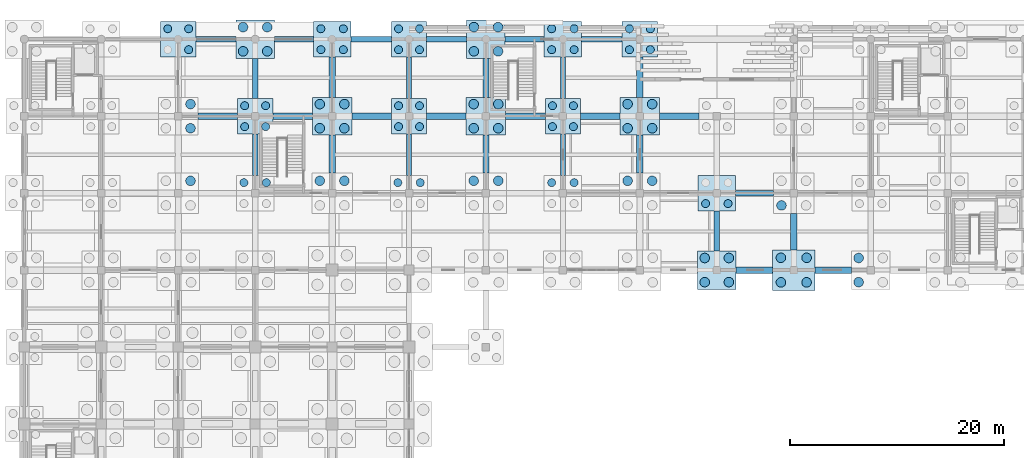
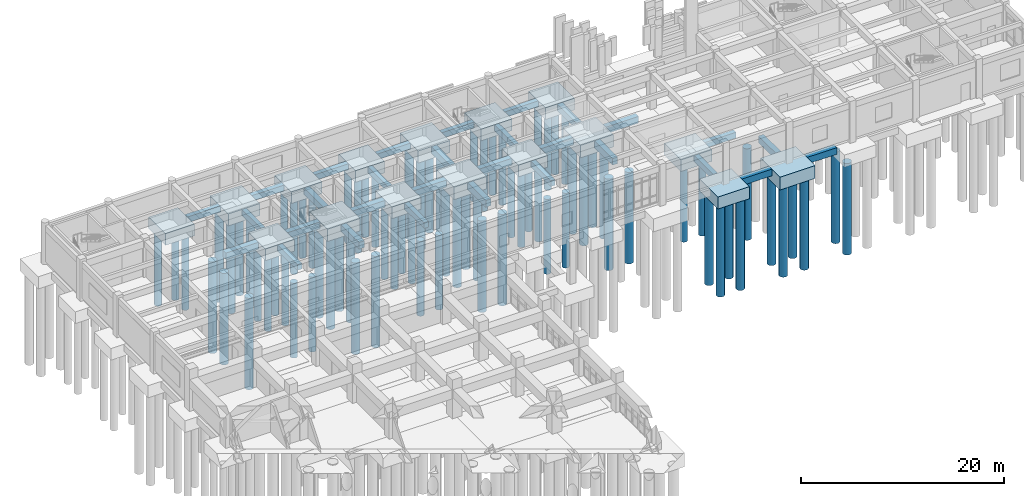
# One storey, part 9 of 79: 79 piles, 46 footings.
"""IFC4 building model written with IfcOpenShell, lengths in metres."""

import ifcopenshell
import ifcopenshell.guid

model = None  # the IFC model being written
_history = None  # IfcOwnerHistory: only IFC2X3 demands one
_inside = {}  # id of a spatial element -> (the spatial element, [elements in it])
_under = {}  # id of a project, library or spatial element -> (it, [spatial elements below it])
_declared = {}  # id of a project -> (the project, [libraries it declares])
_typed = {}  # id of a type object -> (the type object, [elements of that type])
_made_of = {}  # id of a material, layer set ... -> (it, [elements and type objects made of it])


def new_model(schema):
    """Start an empty IFC model of exactly this schema.

    Asked for "IFC4X3", IfcOpenShell would pick the latest addendum, in which some entities
    have other attributes; the version numbers below select the first issue.
    IFC2X3 requires an IfcOwnerHistory on every rooted entity: one is made here for all.
    """
    global model, _history
    if schema == "IFC4X3":
        model = ifcopenshell.file(schema_version=(4, 3, 0, 0))
    else:
        model = ifcopenshell.file(schema=schema)
    _inside.clear()
    _under.clear()
    _declared.clear()
    _typed.clear()
    _made_of.clear()
    _history = None
    if model.schema == "IFC2X3":
        org = make("IfcOrganization", Name="unknown")
        user = make(
            "IfcPersonAndOrganization",
            ThePerson=make("IfcPerson", FamilyName="unknown"),
            TheOrganization=org,
        )
        app = make(
            "IfcApplication",
            ApplicationDeveloper=org,
            Version="unknown",
            ApplicationFullName="unknown",
            ApplicationIdentifier="unknown",
        )
        _history = make(
            "IfcOwnerHistory",
            OwningUser=user,
            OwningApplication=app,
            ChangeAction="ADDED",
            CreationDate=0,
        )
    return model


def make(cls, **values):
    """One entity of the class cls with the attributes given. An attribute that is None is left unset."""
    return model.create_entity(
        cls, **{name: value for name, value in values.items() if value is not None}
    )


def rooted(cls, **values):
    """An entity with a GlobalId (a new one), such as an element, a storey or a relation."""
    return make(cls, GlobalId=ifcopenshell.guid.new(), OwnerHistory=_history, **values)


def si_unit(unit_type, name, prefix=None):
    """IfcSIUnit, for example si_unit("LENGTHUNIT", "METRE", prefix="MILLI")."""
    return make("IfcSIUnit", UnitType=unit_type, Prefix=prefix, Name=name)


def assignment(units):
    """IfcUnitAssignment: the units of a project."""
    return None if units is None else make("IfcUnitAssignment", Units=units)


def point(xyz):
    """IfcCartesianPoint."""
    return None if xyz is None else make("IfcCartesianPoint", Coordinates=xyz)


def direction(xyz):
    """IfcDirection."""
    return None if xyz is None else make("IfcDirection", DirectionRatios=xyz)


def frame(location, z_axis=None, x_axis=None):
    """IfcAxis2Placement3D, a coordinate frame: its origin and axes. An axis left out is left unset."""
    return make(
        "IfcAxis2Placement3D",
        Location=point(location),
        Axis=direction(z_axis),
        RefDirection=direction(x_axis),
    )


def frame_2d(location, x_axis=None):
    """IfcAxis2Placement2D, a coordinate frame in the plane: its origin and x axis."""
    return make(
        "IfcAxis2Placement2D", Location=point(location), RefDirection=direction(x_axis)
    )


def origin():
    """The frame at (0, 0, 0) with its axes left unset."""
    return frame((0.0, 0.0, 0.0))


def origin_2d():
    """The frame at (0, 0) in the plane with its x axis left unset."""
    return frame_2d((0.0, 0.0))


def place(relative_to, where):
    """IfcLocalPlacement: puts the frame where relative to a parent placement (None: the world)."""
    return make(
        "IfcLocalPlacement", PlacementRelTo=relative_to, RelativePlacement=where
    )


def context(
    kind, dimensions, precision=None, world=None, true_north=None, identifier=None
):
    """IfcGeometricRepresentationContext, for example the 3D "Model" context."""
    return make(
        "IfcGeometricRepresentationContext",
        ContextIdentifier=identifier,
        ContextType=kind,
        CoordinateSpaceDimension=dimensions,
        Precision=precision,
        WorldCoordinateSystem=world,
        TrueNorth=true_north,
    )


def subcontext(parent, identifier, kind, view, scale=None):
    """IfcGeometricRepresentationSubContext, for example "Body" below "Model"."""
    return make(
        "IfcGeometricRepresentationSubContext",
        ContextIdentifier=identifier,
        ContextType=kind,
        ParentContext=parent,
        TargetScale=scale,
        TargetView=view,
    )


def project(units=None, contexts=None):
    """IfcProject with its units and contexts."""
    return rooted(
        "IfcProject",
        Name="project",
        RepresentationContexts=contexts,
        UnitsInContext=assignment(units),
    )


def spatial(cls, under=None, at=None, **own):
    """A site, building, storey or space (cls), placed at a placement, below another one or the project."""
    s = rooted(cls, ObjectPlacement=at, **own)
    if under is not None:
        _under.setdefault(under.id(), (under, []))[1].append(s)
    return s


def polyline(points):
    """IfcPolyline through the points."""
    return make("IfcPolyline", Points=[point(p) for p in points])


def profile(cls, at=None, kind="AREA", **sizes):
    """A parametric profile (cls). Its sizes go by their IFC names, for example OverallWidth=200.0."""
    return make(cls, ProfileType=kind, Position=at, **sizes)


def rectangle(**sizes):
    """IfcRectangleProfileDef."""
    return profile("IfcRectangleProfileDef", **sizes)


def circle(**sizes):
    """IfcCircleProfileDef."""
    return profile("IfcCircleProfileDef", **sizes)


def outline(outer, holes=None, kind="AREA"):
    """IfcArbitraryClosedProfileDef: a profile drawn as a closed curve; with holes, ...WithVoids."""
    if holes is None:
        return make("IfcArbitraryClosedProfileDef", ProfileType=kind, OuterCurve=outer)
    return make(
        "IfcArbitraryProfileDefWithVoids",
        ProfileType=kind,
        OuterCurve=outer,
        InnerCurves=holes,
    )


def extrude(swept, where, along, depth):
    """IfcExtrudedAreaSolid: the profile swept, set in the frame where, extruded along a direction by depth."""
    return make(
        "IfcExtrudedAreaSolid",
        SweptArea=swept,
        Position=where,
        ExtrudedDirection=direction(along),
        Depth=depth,
    )


def shape(context_of_items, identifier, shape_type, items):
    """IfcShapeRepresentation: the items that make up one representation, for example the "Body"."""
    return make(
        "IfcShapeRepresentation",
        ContextOfItems=context_of_items,
        RepresentationIdentifier=identifier,
        RepresentationType=shape_type,
        Items=items,
    )


def material(Name=None, Category=None):
    """IfcMaterial."""
    return make("IfcMaterial", Name=Name, Category=Category)


def material_profile(
    of_material, cross_section, Name=None, Category=None, Priority=None
):
    """IfcMaterialProfile: a cross section and its material."""
    return make(
        "IfcMaterialProfile",
        Name=Name,
        Material=of_material,
        Profile=cross_section,
        Priority=Priority,
        Category=Category,
    )


def profile_set(profiles, Name=None, composite=None):
    """IfcMaterialProfileSet."""
    return make(
        "IfcMaterialProfileSet",
        Name=Name,
        MaterialProfiles=profiles,
        CompositeProfile=composite,
    )


def made_of(thing, what):
    """Note that an element or type object is made of a material, layer set ...; save() writes the relation."""
    if what is not None:
        _made_of.setdefault(what.id(), (what, []))[1].append(thing)
    return thing


def type_object(cls, material=None, **own):
    """A type object (cls), such as IfcWallType, which elements share."""
    return made_of(rooted(cls, **own), material)


def element(
    cls,
    number,
    at=None,
    inside=None,
    cuts=None,
    type_object=None,
    material=None,
    context=None,
    identifier="Body",
    shape_type=None,
    held_by="IfcProductDefinitionShape",
    body=None,
    shapes=None,
    **own,
):
    """One element of the class cls, such as IfcWall. Its Tag is "e" and its number.

    at: its placement. inside: the storey or other place that contains it. cuts: it is an
    opening in that element (IfcRelVoidsElement). A single representation is given by context,
    identifier, shape_type and body (its items); several are given by shapes. held_by: the class
    of the entity that holds the representations. save() writes the other relations.
    """
    e = rooted(cls, Tag="e%d" % number, ObjectPlacement=at, **own)
    if body is not None:
        shapes = [shape(context, identifier, shape_type, body)]
    if shapes is not None:
        e.Representation = make(held_by, Representations=shapes)
    if inside is not None:
        _inside.setdefault(inside.id(), (inside, []))[1].append(e)
    if cuts is not None:
        rooted(
            "IfcRelVoidsElement", RelatingBuildingElement=cuts, RelatedOpeningElement=e
        )
    if type_object is not None:
        _typed.setdefault(type_object.id(), (type_object, []))[1].append(e)
    return made_of(e, material)


def aggregate(whole, parts):
    """IfcRelAggregates: a whole, such as a stair, and the parts it consists of."""
    return rooted("IfcRelAggregates", RelatingObject=whole, RelatedObjects=parts)


def save(model, path):
    """Write the relations noted so far, then the file.

    IfcRelAggregates (storeys below a building ...), IfcRelContainedInSpatialStructure (elements
    in a storey), IfcRelDefinesByType, IfcRelAssociatesMaterial and IfcRelDeclares: one each for
    every whole, place, type object, material and project.
    """
    for whole, parts in _under.values():
        aggregate(whole, parts)
    for where, things in _inside.values():
        rooted(
            "IfcRelContainedInSpatialStructure",
            RelatedElements=things,
            RelatingStructure=where,
        )
    for kind, things in _typed.values():
        rooted("IfcRelDefinesByType", RelatedObjects=things, RelatingType=kind)
    for what, things in _made_of.values():
        rooted("IfcRelAssociatesMaterial", RelatedObjects=things, RelatingMaterial=what)
    for by, libraries in _declared.values():
        rooted("IfcRelDeclares", RelatingContext=by, RelatedDefinitions=libraries)
    model.write(path)


model = new_model("IFC4")

# Units and contexts
model_context = context("Model", 3, precision=1e-05, world=origin(), true_north=direction((0.0, 1.0)))
body_context = subcontext(model_context, "Body", "Model", "MODEL_VIEW")
ifc_project = project(units=[si_unit("LENGTHUNIT", "METRE"), si_unit("AREAUNIT", "SQUARE_METRE"), si_unit("VOLUMEUNIT", "CUBIC_METRE"), si_unit("PLANEANGLEUNIT", "RADIAN"), si_unit("MASSUNIT", "GRAM", prefix="KILO")], contexts=[model_context])

# Site, building, storey
site_placement = place(None, origin())
site = spatial("IfcSite", under=ifc_project, at=site_placement, CompositionType="ELEMENT")
building_placement = place(site_placement, origin())
building = spatial("IfcBuilding", under=site, at=building_placement, Name="Kavelor Marine Aquarium", CompositionType="ELEMENT")
storey_placement = place(building_placement, origin())
storey = spatial("IfcBuildingStorey", under=building, at=storey_placement, Name="L00", CompositionType="ELEMENT", Elevation=0.0)

# Footings
ifc_material_1 = material(Name="Concrete C40/50", Category="concrete")
footing_type_1 = type_object("IfcFootingType", Name="CAP-PC03", PredefinedType="PILE_CAP", material=ifc_material_1)
footing_1_placement = place(storey_placement, frame((0.0, 0.0, -1.89990234375)))
element("IfcFooting", 1, at=footing_1_placement, inside=storey, type_object=footing_type_1, Name="Pile Cap PC03 (11-M)", PredefinedType="PILE_CAP", context=body_context, shape_type="SweptSolid", body=[
    extrude(outline(polyline([(73.199951171875, 87.300048828125), (77.199951171875, 87.300048828125), (77.199951171875, 91.10009765625), (73.199951171875, 91.10009765625), (73.199951171875, 87.300048828125)])), origin(), (0.0, 0.0, 1.0), 1.5498046875),
])
ifc_material_2 = material(Name="Concrete C40/50", Category="concrete")
footing_type_2 = type_object("IfcFootingType", Name="CAP-PC05", PredefinedType="PILE_CAP", material=ifc_material_2)
footing_2_placement = place(storey_placement, frame((0.0, 0.0, -1.85009765625)))
element("IfcFooting", 2, at=footing_2_placement, inside=storey, type_object=footing_type_2, Name="Pile Cap PC05 (5-O)", PredefinedType="PILE_CAP", context=body_context, shape_type="SweptSolid", body=[
    extrude(outline(polyline([(30.14990234375, 101.85009765625), (33.85009765625, 101.85009765625), (33.85009765625, 105.35009765625), (30.14990234375, 105.35009765625), (30.14990234375, 101.85009765625)])), origin(), (0.0, 0.0, 1.0), 1.5),
])
footing_3_placement = place(storey_placement, frame((0.0, 0.0, -1.85009765625)))
element("IfcFooting", 3, at=footing_3_placement, inside=storey, type_object=footing_type_2, Name="Pile Cap PC05 (7-O)", PredefinedType="PILE_CAP", context=body_context, shape_type="SweptSolid", body=[
    extrude(outline(polyline([(44.550048828125, 101.85009765625), (48.25, 101.85009765625), (48.25, 105.35009765625), (44.550048828125, 105.35009765625), (44.550048828125, 101.85009765625)])), origin(), (0.0, 0.0, 1.0), 1.5),
])
footing_4_placement = place(storey_placement, frame((0.0, 0.0, -1.85009765625)))
element("IfcFooting", 4, at=footing_4_placement, inside=storey, type_object=footing_type_2, Name="Pile Cap PC05 (9-O)", PredefinedType="PILE_CAP", context=body_context, shape_type="SweptSolid", body=[
    extrude(outline(polyline([(58.949951171875, 101.85009765625), (62.64990234375, 101.85009765625), (62.64990234375, 105.35009765625), (58.949951171875, 105.35009765625), (58.949951171875, 101.85009765625)])), origin(), (0.0, 0.0, 1.0), 1.5),
])
ifc_material_3 = material(Name="Concrete C40/50", Category="concrete")
footing_type_3 = type_object("IfcFootingType", Name="CAP-PC06", PredefinedType="PILE_CAP", material=ifc_material_3)
footing_5_placement = place(storey_placement, frame((0.0, 0.0, -1.800048828125)))
element("IfcFooting", 5, at=footing_5_placement, inside=storey, type_object=footing_type_3, Name="Pile Cap PC06 (4-P)", PredefinedType="PILE_CAP", context=body_context, shape_type="SweptSolid", body=[
    extrude(outline(polyline([(23.0, 109.0), (26.60009765625, 109.0), (26.60009765625, 112.60009765625), (23.0, 112.60009765625), (23.0, 109.0)])), origin(), (0.0, 0.0, 1.0), 1.449951171875),
])
footing_6_placement = place(storey_placement, frame((0.0, 0.0, -1.800048828125)))
element("IfcFooting", 6, at=footing_6_placement, inside=storey, type_object=footing_type_3, Name="Pile Cap PC06 (7-P)", PredefinedType="PILE_CAP", context=body_context, shape_type="SweptSolid", body=[
    extrude(outline(polyline([(44.60009765625, 109.0), (48.199951171875, 109.0), (48.199951171875, 112.60009765625), (44.60009765625, 112.60009765625), (44.60009765625, 109.0)])), origin(), (0.0, 0.0, 1.0), 1.449951171875),
])
footing_7_placement = place(storey_placement, frame((0.0, 0.0, -1.800048828125)))
element("IfcFooting", 7, at=footing_7_placement, inside=storey, type_object=footing_type_3, Name="Pile Cap PC06 (10-M)", PredefinedType="PILE_CAP", context=body_context, shape_type="SweptSolid", body=[
    extrude(outline(polyline([(66.199951171875, 87.39990234375), (69.800048828125, 87.39990234375), (69.800048828125, 91.0), (66.199951171875, 91.0), (66.199951171875, 87.39990234375)])), origin(), (0.0, 0.0, 1.0), 1.449951171875),
])
ifc_material_4 = material(Name="Concrete C40/50", Category="concrete")
footing_type_4 = type_object("IfcFootingType", Name="CAP-PC07", PredefinedType="PILE_CAP", material=ifc_material_4)
footing_8_placement = place(storey_placement, frame((0.0, 0.0, -1.75)))
element("IfcFooting", 8, at=footing_8_placement, inside=storey, type_object=footing_type_4, Name="Pile Cap PC07 (5-P)", PredefinedType="PILE_CAP", context=body_context, shape_type="SweptSolid", body=[
    extrude(outline(polyline([(30.25, 109.14990234375), (33.75, 109.14990234375), (33.75, 112.449951171875), (30.25, 112.449951171875), (30.25, 109.14990234375)])), origin(), (0.0, 0.0, 1.0), 1.39990234375),
])
footing_9_placement = place(storey_placement, frame((0.0, 0.0, -1.75)))
element("IfcFooting", 9, at=footing_9_placement, inside=storey, type_object=footing_type_4, Name="Pile Cap PC07 (8-P)", PredefinedType="PILE_CAP", context=body_context, shape_type="SweptSolid", body=[
    extrude(outline(polyline([(51.85009765625, 109.14990234375), (55.35009765625, 109.14990234375), (55.35009765625, 112.449951171875), (51.85009765625, 112.449951171875), (51.85009765625, 109.14990234375)])), origin(), (0.0, 0.0, 1.0), 1.39990234375),
])
footing_10_placement = place(storey_placement, frame((0.0, 0.0, -1.75)))
element("IfcFooting", 10, at=footing_10_placement, inside=storey, type_object=footing_type_4, Name="Pile Cap PC07 (10-N)", PredefinedType="PILE_CAP", context=body_context, shape_type="SweptSolid", body=[
    extrude(outline(polyline([(66.25, 94.75), (69.75, 94.75), (69.75, 98.050048828125), (66.25, 98.050048828125), (66.25, 94.75)])), origin(), (0.0, 0.0, 1.0), 1.39990234375),
])
ifc_material_5 = material(Name="Concrete C40/50", Category="concrete")
footing_type_5 = type_object("IfcFootingType", Name="CAP-PC08", PredefinedType="PILE_CAP", material=ifc_material_5)
footing_11_placement = place(storey_placement, frame((0.0, 0.0, -1.75)))
element("IfcFooting", 11, at=footing_11_placement, inside=storey, type_object=footing_type_5, Name="Pile Cap PC08 (3-P)", PredefinedType="PILE_CAP", context=body_context, shape_type="SweptSolid", body=[
    extrude(outline(polyline([(15.949951171875, 109.14990234375), (19.25, 109.14990234375), (19.25, 112.449951171875), (15.949951171875, 112.449951171875), (15.949951171875, 109.14990234375)])), origin(), (0.0, 0.0, 1.0), 1.39990234375),
])
footing_12_placement = place(storey_placement, frame((0.0, 0.0, -1.75)))
element("IfcFooting", 12, at=footing_12_placement, inside=storey, type_object=footing_type_5, Name="Pile Cap PC08 (4-O)", PredefinedType="PILE_CAP", context=body_context, shape_type="SweptSolid", body=[
    extrude(outline(polyline([(23.14990234375, 101.949951171875), (26.449951171875, 101.949951171875), (26.449951171875, 105.25), (23.14990234375, 105.25), (23.14990234375, 101.949951171875)])), origin(), (0.0, 0.0, 1.0), 1.39990234375),
])
footing_13_placement = place(storey_placement, frame((0.0, 0.0, -1.75)))
element("IfcFooting", 13, at=footing_13_placement, inside=storey, type_object=footing_type_5, Name="Pile Cap PC08 (6-O)", PredefinedType="PILE_CAP", context=body_context, shape_type="SweptSolid", body=[
    extrude(outline(polyline([(37.550048828125, 101.949951171875), (40.85009765625, 101.949951171875), (40.85009765625, 105.25), (37.550048828125, 105.25), (37.550048828125, 101.949951171875)])), origin(), (0.0, 0.0, 1.0), 1.39990234375),
])
footing_14_placement = place(storey_placement, frame((0.0, 0.0, -1.75)))
element("IfcFooting", 14, at=footing_14_placement, inside=storey, type_object=footing_type_5, Name="Pile Cap PC08 (6-P)", PredefinedType="PILE_CAP", context=body_context, shape_type="SweptSolid", body=[
    extrude(outline(polyline([(37.550048828125, 109.14990234375), (40.85009765625, 109.14990234375), (40.85009765625, 112.449951171875), (37.550048828125, 112.449951171875), (37.550048828125, 109.14990234375)])), origin(), (0.0, 0.0, 1.0), 1.39990234375),
])
footing_15_placement = place(storey_placement, frame((0.0, 0.0, -1.75)))
element("IfcFooting", 15, at=footing_15_placement, inside=storey, type_object=footing_type_5, Name="Pile Cap PC08 (8-O)", PredefinedType="PILE_CAP", context=body_context, shape_type="SweptSolid", body=[
    extrude(outline(polyline([(51.949951171875, 101.949951171875), (55.25, 101.949951171875), (55.25, 105.25), (51.949951171875, 105.25), (51.949951171875, 101.949951171875)])), origin(), (0.0, 0.0, 1.0), 1.39990234375),
])
footing_16_placement = place(storey_placement, frame((0.0, 0.0, -1.75)))
element("IfcFooting", 16, at=footing_16_placement, inside=storey, type_object=footing_type_5, Name="Pile Cap PC08 (9-P)", PredefinedType="PILE_CAP", context=body_context, shape_type="SweptSolid", body=[
    extrude(outline(polyline([(59.14990234375, 109.14990234375), (62.449951171875, 109.14990234375), (62.449951171875, 112.449951171875), (59.14990234375, 112.449951171875), (59.14990234375, 109.14990234375)])), origin(), (0.0, 0.0, 1.0), 1.39990234375),
])
ifc_material_6 = material(Name="Concrete C40/50", Category="concrete")
ifc_material_profile_1 = material_profile(ifc_material_6, rectangle(XDim=0.60009765625, YDim=0.800048828125, at=origin_2d()), Name="GB 600x800")
ifc_profile_set_1 = profile_set([ifc_material_profile_1], Name="Concrete C40/50")
footing_type_6 = type_object("IfcFootingType", Name="FTB-GB1", PredefinedType="FOOTING_BEAM", material=ifc_profile_set_1)
for number, where, z_axis, x_axis, name in (
    (17, (19.449951171875, 103.60009765625, -0.75), (1.0, 0.0, 0.0), (0.0, 1.0, 0.0), "ftb:x:02_14"),
    (18, (26.449951171875, 103.60009765625, -0.75), (1.0, 0.0, 0.0), (0.0, 1.0, 0.0), "ftb:x:03_14"),
):
    element("IfcFooting", number, at=place(storey_placement, frame(where, z_axis=z_axis, x_axis=x_axis)), inside=storey, type_object=footing_type_6, Name=name, PredefinedType="FOOTING_BEAM", context=body_context, shape_type="SweptSolid", body=[
        extrude(rectangle(XDim=0.60009765625, YDim=0.800048828125, at=origin_2d()), origin(), (0.0, 0.0, 1.0), 3.699951171875),
    ])
footing_17_placement = place(storey_placement, frame((32.0, 98.300048828125, -0.75), z_axis=(0.0, 1.0, 0.0), x_axis=(-1.0, 0.0, 0.0)))
element("IfcFooting", 19, at=footing_17_placement, inside=storey, type_object=footing_type_6, Name="ftb:y:04_13", PredefinedType="FOOTING_BEAM", context=body_context, shape_type="SweptSolid", body=[
    extrude(rectangle(XDim=0.60009765625, YDim=0.800048828125, at=origin_2d()), origin(), (0.0, 0.0, 1.0), 3.550048828125),
])
footing_18_placement = place(storey_placement, frame((33.85009765625, 103.60009765625, -0.75), z_axis=(1.0, 0.0, 0.0), x_axis=(0.0, 1.0, 0.0)))
element("IfcFooting", 20, at=footing_18_placement, inside=storey, type_object=footing_type_6, Name="ftb:x:04_14", PredefinedType="FOOTING_BEAM", context=body_context, shape_type="SweptSolid", body=[
    extrude(rectangle(XDim=0.60009765625, YDim=0.800048828125, at=origin_2d()), origin(), (0.0, 0.0, 1.0), 3.699951171875),
])
footing_19_placement = place(storey_placement, frame((32.0, 105.35009765625, -0.75), z_axis=(0.0, 1.0, 0.0), x_axis=(-1.0, 0.0, 0.0)))
element("IfcFooting", 21, at=footing_19_placement, inside=storey, type_object=footing_type_6, Name="ftb:y:04_14", PredefinedType="FOOTING_BEAM", context=body_context, shape_type="SweptSolid", body=[
    extrude(rectangle(XDim=0.60009765625, YDim=0.800048828125, at=origin_2d()), origin(), (0.0, 0.0, 1.0), 3.7998046875),
])
footing_20_placement = place(storey_placement, frame((40.85009765625, 103.60009765625, -0.75), z_axis=(1.0, 0.0, 0.0), x_axis=(0.0, 1.0, 0.0)))
element("IfcFooting", 22, at=footing_20_placement, inside=storey, type_object=footing_type_6, Name="ftb:x:05_14", PredefinedType="FOOTING_BEAM", context=body_context, shape_type="SweptSolid", body=[
    extrude(rectangle(XDim=0.60009765625, YDim=0.800048828125, at=origin_2d()), origin(), (0.0, 0.0, 1.0), 3.699951171875),
])
footing_21_placement = place(storey_placement, frame((46.39990234375, 98.300048828125, -0.75), z_axis=(0.0, 1.0, 0.0), x_axis=(-1.0, 0.0, 0.0)))
element("IfcFooting", 23, at=footing_21_placement, inside=storey, type_object=footing_type_6, Name="ftb:y:06_13", PredefinedType="FOOTING_BEAM", context=body_context, shape_type="SweptSolid", body=[
    extrude(rectangle(XDim=0.60009765625, YDim=0.800048828125, at=origin_2d()), origin(), (0.0, 0.0, 1.0), 3.550048828125),
])
footing_22_placement = place(storey_placement, frame((48.25, 103.60009765625, -0.75), z_axis=(1.0, 0.0, 0.0), x_axis=(0.0, 1.0, 0.0)))
element("IfcFooting", 24, at=footing_22_placement, inside=storey, type_object=footing_type_6, Name="ftb:x:06_14", PredefinedType="FOOTING_BEAM", context=body_context, shape_type="SweptSolid", body=[
    extrude(rectangle(XDim=0.60009765625, YDim=0.800048828125, at=origin_2d()), origin(), (0.0, 0.0, 1.0), 3.699951171875),
])
footing_23_placement = place(storey_placement, frame((46.39990234375, 105.35009765625, -0.75), z_axis=(0.0, 1.0, 0.0), x_axis=(-1.0, 0.0, 0.0)))
element("IfcFooting", 25, at=footing_23_placement, inside=storey, type_object=footing_type_6, Name="ftb:y:06_14", PredefinedType="FOOTING_BEAM", context=body_context, shape_type="SweptSolid", body=[
    extrude(rectangle(XDim=0.60009765625, YDim=0.800048828125, at=origin_2d()), origin(), (0.0, 0.0, 1.0), 3.64990234375),
])
footing_24_placement = place(storey_placement, frame((55.25, 103.60009765625, -0.75), z_axis=(1.0, 0.0, 0.0), x_axis=(0.0, 1.0, 0.0)))
element("IfcFooting", 26, at=footing_24_placement, inside=storey, type_object=footing_type_6, Name="ftb:x:07_14", PredefinedType="FOOTING_BEAM", context=body_context, shape_type="SweptSolid", body=[
    extrude(rectangle(XDim=0.60009765625, YDim=0.800048828125, at=origin_2d()), origin(), (0.0, 0.0, 1.0), 3.699951171875),
])
footing_25_placement = place(storey_placement, frame((60.800048828125, 98.300048828125, -0.75), z_axis=(0.0, 1.0, 0.0), x_axis=(-1.0, 0.0, 0.0)))
element("IfcFooting", 27, at=footing_25_placement, inside=storey, type_object=footing_type_6, Name="ftb:y:08_13", PredefinedType="FOOTING_BEAM", context=body_context, shape_type="SweptSolid", body=[
    extrude(rectangle(XDim=0.60009765625, YDim=0.800048828125, at=origin_2d()), origin(), (0.0, 0.0, 1.0), 3.550048828125),
])
footing_26_placement = place(storey_placement, frame((62.64990234375, 103.60009765625, -0.75), z_axis=(1.0, 0.0, 0.0), x_axis=(0.0, 1.0, 0.0)))
element("IfcFooting", 28, at=footing_26_placement, inside=storey, type_object=footing_type_6, Name="ftb:x:08_14", PredefinedType="FOOTING_BEAM", context=body_context, shape_type="SweptSolid", body=[
    extrude(rectangle(XDim=0.60009765625, YDim=0.800048828125, at=origin_2d()), origin(), (0.0, 0.0, 1.0), 3.7001953125),
])
footing_27_placement = place(storey_placement, frame((60.800048828125, 105.35009765625, -0.75), z_axis=(0.0, 1.0, 0.0), x_axis=(-1.0, 0.0, 0.0)))
element("IfcFooting", 29, at=footing_27_placement, inside=storey, type_object=footing_type_6, Name="ftb:y:08_14", PredefinedType="FOOTING_BEAM", context=body_context, shape_type="SweptSolid", body=[
    extrude(rectangle(XDim=0.60009765625, YDim=0.800048828125, at=origin_2d()), origin(), (0.0, 0.0, 1.0), 3.7998046875),
])
footing_28_placement = place(storey_placement, frame((69.800048828125, 89.199951171875, -0.75), z_axis=(1.0, 0.0, 0.0), x_axis=(0.0, 1.0, 0.0)))
element("IfcFooting", 30, at=footing_28_placement, inside=storey, type_object=footing_type_6, Name="ftb:x:09_12", PredefinedType="FOOTING_BEAM", context=body_context, shape_type="SweptSolid", body=[
    extrude(rectangle(XDim=0.60009765625, YDim=0.800048828125, at=origin_2d()), origin(), (0.0, 0.0, 1.0), 3.39990234375),
])
footing_29_placement = place(storey_placement, frame((77.199951171875, 89.199951171875, -0.75), z_axis=(1.0, 0.0, 0.0), x_axis=(0.0, 1.0, 0.0)))
element("IfcFooting", 31, at=footing_29_placement, inside=storey, type_object=footing_type_6, Name="ftb:x:10_12", PredefinedType="FOOTING_BEAM", context=body_context, shape_type="SweptSolid", body=[
    extrude(rectangle(XDim=0.60009765625, YDim=0.800048828125, at=origin_2d()), origin(), (0.0, 0.0, 1.0), 3.400146484375),
])
footing_30_placement = place(storey_placement, frame((75.199951171875, 91.10009765625, -0.75), z_axis=(0.0, 1.0, 0.0), x_axis=(-1.0, 0.0, 0.0)))
element("IfcFooting", 32, at=footing_30_placement, inside=storey, type_object=footing_type_6, Name="ftb:y:10_12", PredefinedType="FOOTING_BEAM", context=body_context, shape_type="SweptSolid", body=[
    extrude(rectangle(XDim=0.60009765625, YDim=0.800048828125, at=origin_2d()), origin(), (0.0, 0.0, 1.0), 3.39990234375),
])
ifc_material_7 = material(Name="Concrete C40/50", Category="concrete")
ifc_material_profile_2 = material_profile(ifc_material_7, rectangle(XDim=0.5, YDim=0.699951171875, at=origin_2d()), Name="GB 500x700")
ifc_profile_set_2 = profile_set([ifc_material_profile_2], Name="Concrete C40/50")
footing_type_7 = type_object("IfcFootingType", Name="FTB-GB2", PredefinedType="FOOTING_BEAM", material=ifc_profile_set_2)
footing_31_placement = place(storey_placement, frame((19.25, 110.800048828125, -0.699951171875), z_axis=(1.0, 0.0, 0.0), x_axis=(0.0, 1.0, 0.0)))
element("IfcFooting", 33, at=footing_31_placement, inside=storey, type_object=footing_type_7, Name="ftb:x:02_15", PredefinedType="FOOTING_BEAM", context=body_context, shape_type="SweptSolid", body=[
    extrude(rectangle(XDim=0.5, YDim=0.699951171875, at=origin_2d()), origin(), (0.0, 0.0, 1.0), 3.75),
])
footing_32_placement = place(storey_placement, frame((24.800048828125, 98.050048828125, -0.699951171875), z_axis=(0.0, 1.0, 0.0), x_axis=(-1.0, 0.0, 0.0)))
element("IfcFooting", 34, at=footing_32_placement, inside=storey, type_object=footing_type_7, Name="ftb:y:03_13", PredefinedType="FOOTING_BEAM", context=body_context, shape_type="SweptSolid", body=[
    extrude(rectangle(XDim=0.5, YDim=0.699951171875, at=origin_2d()), origin(), (0.0, 0.0, 1.0), 3.89990234375),
])
footing_33_placement = place(storey_placement, frame((24.800048828125, 105.25, -0.699951171875), z_axis=(0.0, 1.0, 0.0), x_axis=(-1.0, 0.0, 0.0)))
element("IfcFooting", 35, at=footing_33_placement, inside=storey, type_object=footing_type_7, Name="ftb:y:03_14", PredefinedType="FOOTING_BEAM", context=body_context, shape_type="SweptSolid", body=[
    extrude(rectangle(XDim=0.5, YDim=0.699951171875, at=origin_2d()), origin(), (0.0, 0.0, 1.0), 3.75),
])
footing_34_placement = place(storey_placement, frame((26.60009765625, 110.800048828125, -0.699951171875), z_axis=(1.0, 0.0, 0.0), x_axis=(0.0, 1.0, 0.0)))
element("IfcFooting", 36, at=footing_34_placement, inside=storey, type_object=footing_type_7, Name="ftb:x:03_15", PredefinedType="FOOTING_BEAM", context=body_context, shape_type="SweptSolid", body=[
    extrude(rectangle(XDim=0.5, YDim=0.699951171875, at=origin_2d()), origin(), (0.0, 0.0, 1.0), 3.64990234375),
])
footing_35_placement = place(storey_placement, frame((33.75, 110.800048828125, -0.699951171875), z_axis=(1.0, 0.0, 0.0), x_axis=(0.0, 1.0, 0.0)))
element("IfcFooting", 37, at=footing_35_placement, inside=storey, type_object=footing_type_7, Name="ftb:x:04_15", PredefinedType="FOOTING_BEAM", context=body_context, shape_type="SweptSolid", body=[
    extrude(rectangle(XDim=0.5, YDim=0.699951171875, at=origin_2d()), origin(), (0.0, 0.0, 1.0), 3.800048828125),
])
for number, where, z_axis, x_axis, name in (
    (38, (39.199951171875, 98.050048828125, -0.699951171875), (0.0, 1.0, 0.0), (-1.0, 0.0, 0.0), "ftb:y:05_13"),
    (39, (39.199951171875, 105.25, -0.699951171875), (0.0, 1.0, 0.0), (-1.0, 0.0, 0.0), "ftb:y:05_14"),
):
    element("IfcFooting", number, at=place(storey_placement, frame(where, z_axis=z_axis, x_axis=x_axis)), inside=storey, type_object=footing_type_7, Name=name, PredefinedType="FOOTING_BEAM", context=body_context, shape_type="SweptSolid", body=[
        extrude(rectangle(XDim=0.5, YDim=0.699951171875, at=origin_2d()), origin(), (0.0, 0.0, 1.0), 3.89990234375),
    ])
footing_36_placement = place(storey_placement, frame((40.85009765625, 110.800048828125, -0.699951171875), z_axis=(1.0, 0.0, 0.0), x_axis=(0.0, 1.0, 0.0)))
element("IfcFooting", 40, at=footing_36_placement, inside=storey, type_object=footing_type_7, Name="ftb:x:05_15", PredefinedType="FOOTING_BEAM", context=body_context, shape_type="SweptSolid", body=[
    extrude(rectangle(XDim=0.5, YDim=0.699951171875, at=origin_2d()), origin(), (0.0, 0.0, 1.0), 3.75),
])
footing_37_placement = place(storey_placement, frame((48.199951171875, 110.800048828125, -0.699951171875), z_axis=(1.0, 0.0, 0.0), x_axis=(0.0, 1.0, 0.0)))
element("IfcFooting", 41, at=footing_37_placement, inside=storey, type_object=footing_type_7, Name="ftb:x:06_15", PredefinedType="FOOTING_BEAM", context=body_context, shape_type="SweptSolid", body=[
    extrude(rectangle(XDim=0.5, YDim=0.699951171875, at=origin_2d()), origin(), (0.0, 0.0, 1.0), 3.650146484375),
])
for number, where, z_axis, x_axis, name in (
    (42, (53.60009765625, 98.050048828125, -0.699951171875), (0.0, 1.0, 0.0), (-1.0, 0.0, 0.0), "ftb:y:07_13"),
    (43, (53.60009765625, 105.25, -0.699951171875), (0.0, 1.0, 0.0), (-1.0, 0.0, 0.0), "ftb:y:07_14"),
):
    element("IfcFooting", number, at=place(storey_placement, frame(where, z_axis=z_axis, x_axis=x_axis)), inside=storey, type_object=footing_type_7, Name=name, PredefinedType="FOOTING_BEAM", context=body_context, shape_type="SweptSolid", body=[
        extrude(rectangle(XDim=0.5, YDim=0.699951171875, at=origin_2d()), origin(), (0.0, 0.0, 1.0), 3.89990234375),
    ])
footing_38_placement = place(storey_placement, frame((55.35009765625, 110.800048828125, -0.699951171875), z_axis=(1.0, 0.0, 0.0), x_axis=(0.0, 1.0, 0.0)))
element("IfcFooting", 44, at=footing_38_placement, inside=storey, type_object=footing_type_7, Name="ftb:x:07_15", PredefinedType="FOOTING_BEAM", context=body_context, shape_type="SweptSolid", body=[
    extrude(rectangle(XDim=0.5, YDim=0.699951171875, at=origin_2d()), origin(), (0.0, 0.0, 1.0), 3.7998046875),
])
footing_39_placement = place(storey_placement, frame((68.0, 91.0, -0.699951171875), z_axis=(0.0, 1.0, 0.0), x_axis=(-1.0, 0.0, 0.0)))
element("IfcFooting", 45, at=footing_39_placement, inside=storey, type_object=footing_type_7, Name="ftb:y:09_12", PredefinedType="FOOTING_BEAM", context=body_context, shape_type="SweptSolid", body=[
    extrude(rectangle(XDim=0.5, YDim=0.699951171875, at=origin_2d()), origin(), (0.0, 0.0, 1.0), 3.75),
])
footing_40_placement = place(storey_placement, frame((69.75, 96.39990234375, -0.699951171875), z_axis=(1.0, 0.0, 0.0), x_axis=(0.0, 1.0, 0.0)))
element("IfcFooting", 46, at=footing_40_placement, inside=storey, type_object=footing_type_7, Name="ftb:x:09_13", PredefinedType="FOOTING_BEAM", context=body_context, shape_type="SweptSolid", body=[
    extrude(rectangle(XDim=0.5, YDim=0.699951171875, at=origin_2d()), origin(), (0.0, 0.0, 1.0), 3.550048828125),
])

# Piles
ifc_material_8 = material(Name="Concrete C40/50", Category="concrete")
ifc_material_profile_3 = material_profile(ifc_material_8, circle(Radius=0.449951171875, at=origin_2d()), Name="PILE D900")
ifc_profile_set_3 = profile_set([ifc_material_profile_3], Name="Concrete C40/50")
pile_type_1 = type_object("IfcPileType", Name="PILE-P2", PredefinedType="BORED", material=ifc_profile_set_3)
for number, where, z_axis, x_axis, name in (
    (47, (18.75, 97.550048828125, -1.75), (0.0, 0.0, -1.0), (1.0, 0.0, 0.0), "Bored Pile P2 (3-N-4)"),
    (48, (18.75, 102.469970703125, -1.75), (0.0, 0.0, -1.0), (1.0, 0.0, 0.0), "Bored Pile P2 (3-O-2)"),
    (49, (18.75, 104.72998046875, -1.75), (0.0, 0.0, -1.0), (1.0, 0.0, 0.0), "Bored Pile P2 (3-O-4)"),
    (50, (23.669921875, 109.669921875, -1.699951171875), (0.0, 0.0, -1.0), (1.0, 0.0, 0.0), "Bored Pile P2 (4-P-1)"),
    (51, (25.929931640625, 109.669921875, -1.699951171875), (0.0, 0.0, -1.0), (1.0, 0.0, 0.0), "Bored Pile P2 (4-P-2)"),
    (52, (23.669921875, 111.929931640625, -1.699951171875), (0.0, 0.0, -1.0), (1.0, 0.0, 0.0), "Bored Pile P2 (4-P-3)"),
    (53, (25.929931640625, 111.929931640625, -1.699951171875), (0.0, 0.0, -1.0), (1.0, 0.0, 0.0), "Bored Pile P2 (4-P-4)"),
    (54, (30.85009765625, 97.550048828125, -1.75), (0.0, 0.0, -1.0), (1.0, 0.0, 0.0), "Bored Pile P2 (5-N-3)"),
    (55, (33.14990234375, 97.550048828125, -1.75), (0.0, 0.0, -1.0), (1.0, 0.0, 0.0), "Bored Pile P2 (5-N-4)"),
    (56, (30.85009765625, 102.469970703125, -1.75), (0.0, 0.0, -1.0), (1.0, 0.0, 0.0), "Bored Pile P2 (5-O-1)"),
    (57, (33.14990234375, 102.469970703125, -1.75), (0.0, 0.0, -1.0), (1.0, 0.0, 0.0), "Bored Pile P2 (5-O-2)"),
    (58, (30.85009765625, 104.72998046875, -1.75), (0.0, 0.0, -1.0), (1.0, 0.0, 0.0), "Bored Pile P2 (5-O-3)"),
    (59, (33.14990234375, 104.72998046875, -1.75), (0.0, 0.0, -1.0), (1.0, 0.0, 0.0), "Bored Pile P2 (5-O-4)"),
    (60, (45.25, 97.550048828125, -1.75), (0.0, 0.0, -1.0), (1.0, 0.0, 0.0), "Bored Pile P2 (7-N-3)"),
    (61, (47.550048828125, 97.550048828125, -1.75), (0.0, 0.0, -1.0), (1.0, 0.0, 0.0), "Bored Pile P2 (7-N-4)"),
    (62, (45.25, 102.469970703125, -1.75), (0.0, 0.0, -1.0), (1.0, 0.0, 0.0), "Bored Pile P2 (7-O-1)"),
    (63, (47.550048828125, 102.469970703125, -1.75), (0.0, 0.0, -1.0), (1.0, 0.0, 0.0), "Bored Pile P2 (7-O-2)"),
    (64, (45.25, 104.72998046875, -1.75), (0.0, 0.0, -1.0), (1.0, 0.0, 0.0), "Bored Pile P2 (7-O-3)"),
    (65, (47.550048828125, 104.72998046875, -1.75), (0.0, 0.0, -1.0), (1.0, 0.0, 0.0), "Bored Pile P2 (7-O-4)"),
    (66, (45.27001953125, 109.669921875, -1.699951171875), (0.0, 0.0, -1.0), (1.0, 0.0, 0.0), "Bored Pile P2 (7-P-1)"),
    (67, (47.530029296875, 109.669921875, -1.699951171875), (0.0, 0.0, -1.0), (1.0, 0.0, 0.0), "Bored Pile P2 (7-P-2)"),
    (68, (45.27001953125, 111.929931640625, -1.699951171875), (0.0, 0.0, -1.0), (1.0, 0.0, 0.0), "Bored Pile P2 (7-P-3)"),
    (69, (47.530029296875, 111.929931640625, -1.699951171875), (0.0, 0.0, -1.0), (1.0, 0.0, 0.0), "Bored Pile P2 (7-P-4)"),
    (70, (59.64990234375, 97.550048828125, -1.75), (0.0, 0.0, -1.0), (1.0, 0.0, 0.0), "Bored Pile P2 (9-N-3)"),
    (71, (61.949951171875, 97.550048828125, -1.75), (0.0, 0.0, -1.0), (1.0, 0.0, 0.0), "Bored Pile P2 (9-N-4)"),
    (72, (59.64990234375, 102.469970703125, -1.75), (0.0, 0.0, -1.0), (1.0, 0.0, 0.0), "Bored Pile P2 (9-O-1)"),
    (73, (61.949951171875, 102.469970703125, -1.75), (0.0, 0.0, -1.0), (1.0, 0.0, 0.0), "Bored Pile P2 (9-O-2)"),
    (74, (59.64990234375, 104.72998046875, -1.75), (0.0, 0.0, -1.0), (1.0, 0.0, 0.0), "Bored Pile P2 (9-O-3)"),
    (75, (61.949951171875, 104.72998046875, -1.75), (0.0, 0.0, -1.0), (1.0, 0.0, 0.0), "Bored Pile P2 (9-O-4)"),
    (76, (66.8701171875, 88.070068359375, -1.699951171875), (0.0, 0.0, -1.0), (1.0, 0.0, 0.0), "Bored Pile P2 (10-M-1)"),
    (77, (69.1298828125, 88.070068359375, -1.699951171875), (0.0, 0.0, -1.0), (1.0, 0.0, 0.0), "Bored Pile P2 (10-M-2)"),
    (78, (66.8701171875, 90.330078125, -1.699951171875), (0.0, 0.0, -1.0), (1.0, 0.0, 0.0), "Bored Pile P2 (10-M-3)"),
    (79, (69.1298828125, 90.330078125, -1.699951171875), (0.0, 0.0, -1.0), (1.0, 0.0, 0.0), "Bored Pile P2 (10-M-4)"),
    (80, (74.0, 88.050048828125, -1.800048828125), (0.0, 0.0, -1.0), (1.0, 0.0, 0.0), "Bored Pile P2 (11-M-1)"),
    (81, (76.39990234375, 88.050048828125, -1.800048828125), (0.0, 0.0, -1.0), (1.0, 0.0, 0.0), "Bored Pile P2 (11-M-2)"),
    (82, (74.0, 90.35009765625, -1.800048828125), (0.0, 0.0, -1.0), (1.0, 0.0, 0.0), "Bored Pile P2 (11-M-3)"),
    (83, (76.39990234375, 90.35009765625, -1.800048828125), (0.0, 0.0, -1.0), (1.0, 0.0, 0.0), "Bored Pile P2 (11-M-4)"),
    (84, (74.050048828125, 95.25, -1.75), (0.0, 0.0, -1.0), (1.0, 0.0, 0.0), "Bored Pile P2 (11-N-1)"),
    (85, (81.27001953125, 88.070068359375, -1.699951171875), (0.0, 0.0, -1.0), (1.0, 0.0, 0.0), "Bored Pile P2 (12-M-1)"),
    (86, (81.27001953125, 90.330078125, -1.699951171875), (0.0, 0.0, -1.0), (1.0, 0.0, 0.0), "Bored Pile P2 (12-M-3)"),
):
    element("IfcPile", number, at=place(storey_placement, frame(where, z_axis=z_axis, x_axis=x_axis)), inside=storey, type_object=pile_type_1, Name=name, PredefinedType="BORED", context=body_context, shape_type="SweptSolid", body=[
        extrude(circle(Radius=0.449951171875, at=origin_2d()), origin(), (0.0, 0.0, 1.0), 11.0),
    ])
ifc_material_9 = material(Name="Concrete C40/50", Category="concrete")
ifc_material_profile_4 = material_profile(ifc_material_9, circle(Radius=0.375, at=origin_2d()), Name="PILE D750")
ifc_profile_set_4 = profile_set([ifc_material_profile_4], Name="Concrete C40/50")
pile_type_2 = type_object("IfcPileType", Name="PILE-P3", PredefinedType="BORED", material=ifc_profile_set_4)
for number, where, z_axis, x_axis, name in (
    (87, (18.580078125, 109.820068359375, -1.64990234375), (0.0, 0.0, -1.0), (1.0, 0.0, 0.0), "Bored Pile P3 (3-P-2)"),
    (88, (16.6201171875, 111.780029296875, -1.64990234375), (0.0, 0.0, -1.0), (1.0, 0.0, 0.0), "Bored Pile P3 (3-P-3)"),
    (89, (18.580078125, 111.780029296875, -1.64990234375), (0.0, 0.0, -1.0), (1.0, 0.0, 0.0), "Bored Pile P3 (3-P-4)"),
    (90, (23.75, 97.3798828125, -1.64990234375), (0.0, 0.0, -1.0), (1.0, 0.0, 0.0), "Bored Pile P3 (4-N-3)"),
    (91, (25.85009765625, 97.3798828125, -1.64990234375), (0.0, 0.0, -1.0), (1.0, 0.0, 0.0), "Bored Pile P3 (4-N-4)"),
    (92, (23.820068359375, 102.6201171875, -1.64990234375), (0.0, 0.0, -1.0), (1.0, 0.0, 0.0), "Bored Pile P3 (4-O-1)"),
    (93, (25.780029296875, 102.6201171875, -1.64990234375), (0.0, 0.0, -1.0), (1.0, 0.0, 0.0), "Bored Pile P3 (4-O-2)"),
    (94, (23.820068359375, 104.580078125, -1.64990234375), (0.0, 0.0, -1.0), (1.0, 0.0, 0.0), "Bored Pile P3 (4-O-3)"),
    (95, (25.780029296875, 104.580078125, -1.64990234375), (0.0, 0.0, -1.0), (1.0, 0.0, 0.0), "Bored Pile P3 (4-O-4)"),
    (96, (30.949951171875, 109.820068359375, -1.64990234375), (0.0, 0.0, -1.0), (1.0, 0.0, 0.0), "Bored Pile P3 (5-P-1)"),
    (97, (33.050048828125, 109.820068359375, -1.64990234375), (0.0, 0.0, -1.0), (1.0, 0.0, 0.0), "Bored Pile P3 (5-P-2)"),
    (98, (30.949951171875, 111.780029296875, -1.64990234375), (0.0, 0.0, -1.0), (1.0, 0.0, 0.0), "Bored Pile P3 (5-P-3)"),
    (99, (33.050048828125, 111.780029296875, -1.64990234375), (0.0, 0.0, -1.0), (1.0, 0.0, 0.0), "Bored Pile P3 (5-P-4)"),
    (100, (38.14990234375, 97.3798828125, -1.64990234375), (0.0, 0.0, -1.0), (1.0, 0.0, 0.0), "Bored Pile P3 (6-N-3)"),
    (101, (40.25, 97.3798828125, -1.64990234375), (0.0, 0.0, -1.0), (1.0, 0.0, 0.0), "Bored Pile P3 (6-N-4)"),
    (102, (38.219970703125, 102.6201171875, -1.64990234375), (0.0, 0.0, -1.0), (1.0, 0.0, 0.0), "Bored Pile P3 (6-O-1)"),
    (103, (40.179931640625, 102.6201171875, -1.64990234375), (0.0, 0.0, -1.0), (1.0, 0.0, 0.0), "Bored Pile P3 (6-O-2)"),
    (104, (38.219970703125, 104.580078125, -1.64990234375), (0.0, 0.0, -1.0), (1.0, 0.0, 0.0), "Bored Pile P3 (6-O-3)"),
    (105, (40.179931640625, 104.580078125, -1.64990234375), (0.0, 0.0, -1.0), (1.0, 0.0, 0.0), "Bored Pile P3 (6-O-4)"),
    (106, (38.219970703125, 109.820068359375, -1.64990234375), (0.0, 0.0, -1.0), (1.0, 0.0, 0.0), "Bored Pile P3 (6-P-1)"),
    (107, (40.179931640625, 109.820068359375, -1.64990234375), (0.0, 0.0, -1.0), (1.0, 0.0, 0.0), "Bored Pile P3 (6-P-2)"),
    (108, (38.219970703125, 111.780029296875, -1.64990234375), (0.0, 0.0, -1.0), (1.0, 0.0, 0.0), "Bored Pile P3 (6-P-3)"),
    (109, (40.179931640625, 111.780029296875, -1.64990234375), (0.0, 0.0, -1.0), (1.0, 0.0, 0.0), "Bored Pile P3 (6-P-4)"),
    (110, (52.550048828125, 97.3798828125, -1.64990234375), (0.0, 0.0, -1.0), (1.0, 0.0, 0.0), "Bored Pile P3 (8-N-3)"),
    (111, (54.64990234375, 97.3798828125, -1.64990234375), (0.0, 0.0, -1.0), (1.0, 0.0, 0.0), "Bored Pile P3 (8-N-4)"),
    (112, (52.6201171875, 102.6201171875, -1.64990234375), (0.0, 0.0, -1.0), (1.0, 0.0, 0.0), "Bored Pile P3 (8-O-1)"),
    (113, (54.580078125, 102.6201171875, -1.64990234375), (0.0, 0.0, -1.0), (1.0, 0.0, 0.0), "Bored Pile P3 (8-O-2)"),
    (114, (52.6201171875, 104.580078125, -1.64990234375), (0.0, 0.0, -1.0), (1.0, 0.0, 0.0), "Bored Pile P3 (8-O-3)"),
    (115, (54.580078125, 104.580078125, -1.64990234375), (0.0, 0.0, -1.0), (1.0, 0.0, 0.0), "Bored Pile P3 (8-O-4)"),
    (116, (52.550048828125, 109.820068359375, -1.64990234375), (0.0, 0.0, -1.0), (1.0, 0.0, 0.0), "Bored Pile P3 (8-P-1)"),
    (117, (54.64990234375, 109.820068359375, -1.64990234375), (0.0, 0.0, -1.0), (1.0, 0.0, 0.0), "Bored Pile P3 (8-P-2)"),
    (118, (52.550048828125, 111.780029296875, -1.64990234375), (0.0, 0.0, -1.0), (1.0, 0.0, 0.0), "Bored Pile P3 (8-P-3)"),
    (119, (54.64990234375, 111.780029296875, -1.64990234375), (0.0, 0.0, -1.0), (1.0, 0.0, 0.0), "Bored Pile P3 (8-P-4)"),
    (120, (59.820068359375, 109.820068359375, -1.64990234375), (0.0, 0.0, -1.0), (1.0, 0.0, 0.0), "Bored Pile P3 (9-P-1)"),
    (121, (61.780029296875, 109.820068359375, -1.64990234375), (0.0, 0.0, -1.0), (1.0, 0.0, 0.0), "Bored Pile P3 (9-P-2)"),
    (122, (59.820068359375, 111.780029296875, -1.64990234375), (0.0, 0.0, -1.0), (1.0, 0.0, 0.0), "Bored Pile P3 (9-P-3)"),
    (123, (61.780029296875, 111.780029296875, -1.64990234375), (0.0, 0.0, -1.0), (1.0, 0.0, 0.0), "Bored Pile P3 (9-P-4)"),
    (124, (66.949951171875, 95.419921875, -1.64990234375), (0.0, 0.0, -1.0), (1.0, 0.0, 0.0), "Bored Pile P3 (10-N-1)"),
    (125, (69.050048828125, 95.419921875, -1.64990234375), (0.0, 0.0, -1.0), (1.0, 0.0, 0.0), "Bored Pile P3 (10-N-2)"),
):
    element("IfcPile", number, at=place(storey_placement, frame(where, z_axis=z_axis, x_axis=x_axis)), inside=storey, type_object=pile_type_2, Name=name, PredefinedType="BORED", context=body_context, shape_type="SweptSolid", body=[
        extrude(circle(Radius=0.375, at=origin_2d()), origin(), (0.0, 0.0, 1.0), 9.0),
    ])

save(model, "model.ifc")
